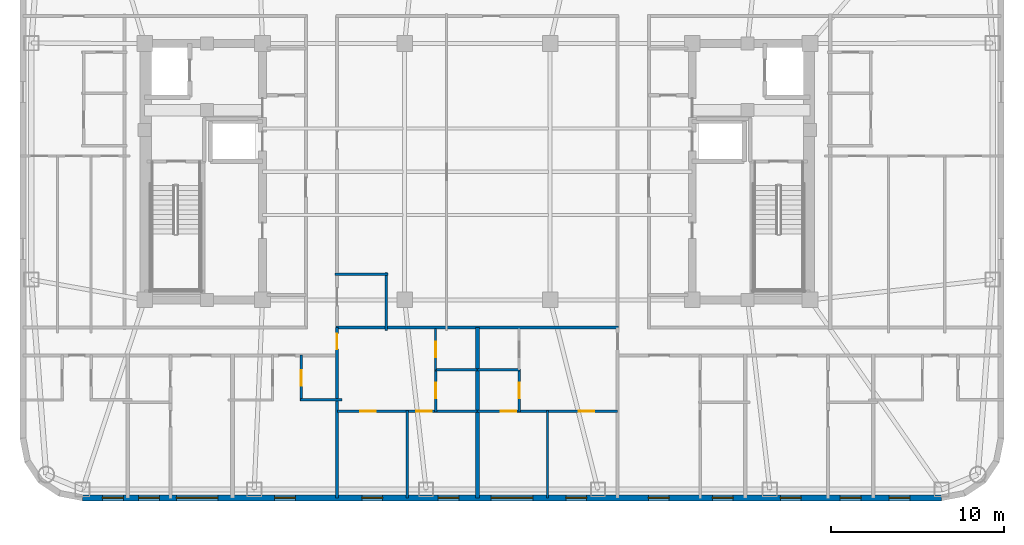
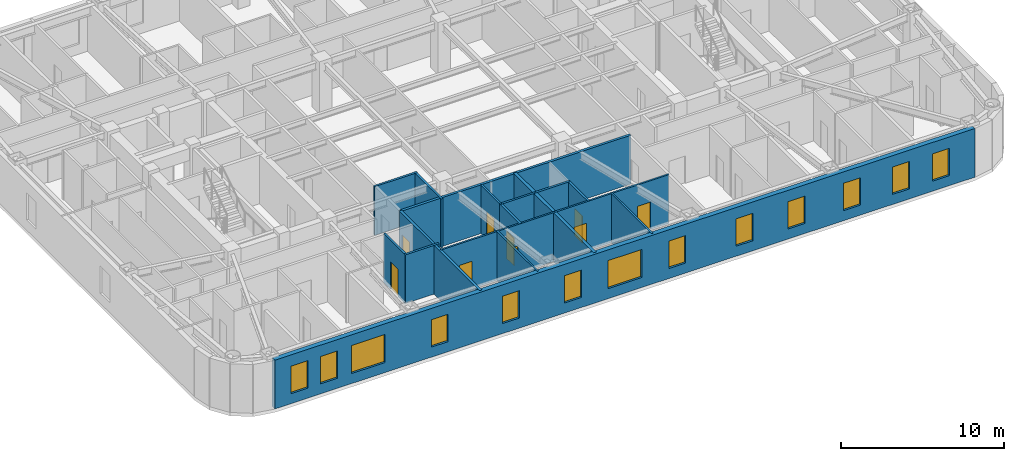
# One storey, part 3 of 11: 17 walls, 13 windows, 9 doors, 22 openings.
"""IFC4 building model written with IfcOpenShell, lengths in metres."""

from ifc_helpers import new_model, si_unit, direction, frame, frame_2d, origin, place, context, subcontext, project, spatial, rectangle, extrude, material, layer, layer_set, type_object, element, fill, save


model = new_model("IFC4")

# Units and contexts
model_context = context("Model", 3, precision=1e-05, world=origin(), true_north=direction((0.0, 1.0)))
body_context = subcontext(model_context, "Body", "Model", "MODEL_VIEW")
ifc_project = project(units=[si_unit("LENGTHUNIT", "METRE"), si_unit("AREAUNIT", "SQUARE_METRE"), si_unit("VOLUMEUNIT", "CUBIC_METRE"), si_unit("PLANEANGLEUNIT", "RADIAN"), si_unit("MASSUNIT", "GRAM", prefix="KILO")], contexts=[model_context])

# Site, building, storey
site_placement = place(None, origin())
site = spatial("IfcSite", under=ifc_project, at=site_placement, CompositionType="ELEMENT")
building_placement = place(site_placement, origin())
building = spatial("IfcBuilding", under=site, at=building_placement, Name="Voryun Gate Residences", CompositionType="ELEMENT")
storey_placement = place(building_placement, frame((0.0, 0.0, 247.0)))
storey = spatial("IfcBuildingStorey", under=building, at=storey_placement, Name="L61", CompositionType="ELEMENT", Elevation=247.0)

# Wall
ifc_material_1 = material(Name="Gypsum acoustic fireboard")
ifc_layer_1 = layer(ifc_material_1, 0.179931640625, Name="W_CORR_RATED_180")
ifc_layer_set_1 = layer_set([ifc_layer_1], Name="Gypsum acoustic fireboard")
wall_type_1 = type_object("IfcWallType", Name="W_CORR_RATED_180", PredefinedType="PARTITIONING", material=ifc_layer_set_1)
wall_1_placement = place(storey_placement, frame((-8.14990234375, -8.989990234375, 0.0), z_axis=(0.0, 0.0, 1.0), x_axis=(1.0, 0.0, 0.0)))
element("IfcWall", 1, at=wall_1_placement, inside=storey, type_object=wall_type_1, Name="Partition wall WP-L61-Z3S", PredefinedType="PARTITIONING", context=body_context, shape_type="SweptSolid", body=[
    extrude(rectangle(XDim=16.2998046875, YDim=0.179931640625, at=frame_2d((8.14990234375, 0.0))), origin(), (0.0, 0.0, 1.0), 3.64990234375),
])

# Wall, opening, door
wall_2_placement = place(storey_placement, frame((-8.10009765625, -18.830078125, 0.0), z_axis=(0.0, 0.0, 1.0), x_axis=(0.0, 1.0, 0.0)))
wall_2 = element("IfcWall", 2, at=wall_2_placement, inside=storey, type_object=wall_type_1, Name="Partition wall WP-L61-SZV-1", PredefinedType="PARTITIONING", context=body_context, shape_type="SweptSolid", body=[
    extrude(rectangle(XDim=9.840087890625, YDim=0.179931640625, at=frame_2d((4.919921875, 0.0))), origin(), (0.0, 0.0, 1.0), 3.64990234375),
])
opening_1_placement = place(wall_2_placement, frame((8.590087890625, 0.0, 0.0)))
opening_1 = element("IfcOpeningElement", 3, at=opening_1_placement, cuts=wall_2, Name="Opening D-INT-2", PredefinedType="OPENING", context=body_context, shape_type="SweptSolid", body=[
    extrude(rectangle(XDim=0.89990234375, YDim=2.050048828125, at=frame_2d((0.449951171875, 1.02490234375))), frame((0.0, 0.099853515625, 0.0), z_axis=(0.0, -1.0, 0.0), x_axis=(1.0, 0.0, 0.0)), (0.0, 0.0, 1.0), 0.199951171875),
])
ifc_material_2 = material(Name="Architectural oak veneer")
door_type = type_object("IfcDoorType", Name="DR_INT_BATH_900", OperationType="NOTDEFINED", PredefinedType="DOOR", material=ifc_material_2)
door_1_placement = place(opening_1_placement, origin())
door_1 = element("IfcDoor", 4, at=door_1_placement, inside=storey, type_object=door_type, Name="Door DR-L61-SZENT-1", OperationType="SINGLE_SWING_LEFT", OverallHeight=2.050048828125, OverallWidth=0.89990234375, PredefinedType="DOOR", context=body_context, shape_type="SweptSolid", body=[
    extrude(rectangle(XDim=0.89990234375, YDim=2.050048828125, at=frame_2d((0.449951171875, 1.02490234375))), frame((0.0, 0.02490234375, 0.0), z_axis=(0.0, -1.0, 0.0), x_axis=(1.0, 0.0, 0.0)), (0.0, 0.0, 1.0), 0.050048828125),
])
fill(opening_1, door_1)

# Wall, openings, windows
ifc_material_3 = material(Name="Charcoal terracotta masonry", Category="masonry")
ifc_layer_2 = layer(ifc_material_3, 0.340087890625, Name="W_EXT_TERRACOTTA_340")
ifc_layer_set_2 = layer_set([ifc_layer_2], Name="Charcoal terracotta masonry")
wall_type_2 = type_object("IfcWallType", Name="W_EXT_TERRACOTTA_340", PredefinedType="ELEMENTEDWALL", material=ifc_layer_set_2)
wall_3_placement = place(storey_placement, frame((26.783203125, -18.830078125, 0.0), z_axis=(0.0, 0.0, 1.0), x_axis=(-1.0, 0.0, 0.0)))
wall_3 = element("IfcWall", 5, at=wall_3_placement, inside=storey, type_object=wall_type_2, Name="Exterior wall WEXT-L61-01", PredefinedType="ELEMENTEDWALL", context=body_context, shape_type="SweptSolid", body=[
    extrude(rectangle(XDim=49.56640625, YDim=0.340087890625, at=frame_2d((24.783203125, 0.0))), origin(), (0.0, 0.0, 1.0), 3.64990234375),
])
opening_2_placement = place(wall_3_placement, frame((23.583251953125, 0.0, 0.75)))
opening_2 = element("IfcOpeningElement", 6, at=opening_2_placement, cuts=wall_3, Name="Opening WN2", PredefinedType="OPENING", context=body_context, shape_type="SweptSolid", body=[
    extrude(rectangle(XDim=2.39990234375, YDim=2.10009765625, at=frame_2d((1.199951171875, 1.050048828125))), frame((0.0, 0.179931640625, 0.0), z_axis=(0.0, -1.0, 0.0), x_axis=(1.0, 0.0, 0.0)), (0.0, 0.0, 1.0), 0.360107421875),
])
opening_3_placement = place(wall_3_placement, frame((41.755615234375, 0.0, 0.75)))
opening_3 = element("IfcOpeningElement", 7, at=opening_3_placement, cuts=wall_3, Name="Opening WN2", PredefinedType="OPENING", context=body_context, shape_type="SweptSolid", body=[
    extrude(rectangle(XDim=2.39990234375, YDim=2.10009765625, at=frame_2d((1.199951171875, 1.050048828125))), frame((0.0, 0.179931640625, 0.0), z_axis=(0.0, -1.0, 0.0), x_axis=(1.0, 0.0, 0.0)), (0.0, 0.0, 1.0), 0.360107421875),
])
opening_4_placement = place(wall_3_placement, frame((47.222412109375, 0.0, 0.75)))
opening_4 = element("IfcOpeningElement", 8, at=opening_4_placement, cuts=wall_3, Name="Opening WN6", PredefinedType="OPENING", context=body_context, shape_type="SweptSolid", body=[
    extrude(rectangle(XDim=1.199951171875, YDim=2.050048828125, at=frame_2d((0.60009765625, 1.02490234375))), frame((0.0, 0.179931640625, 0.0), z_axis=(0.0, -1.0, 0.0), x_axis=(1.0, 0.0, 0.0)), (0.0, 0.0, 1.0), 0.360107421875),
])
opening_5_placement = place(wall_3_placement, frame((45.130859375, 0.0, 0.75)))
opening_5 = element("IfcOpeningElement", 9, at=opening_5_placement, cuts=wall_3, Name="Opening WN6", PredefinedType="OPENING", context=body_context, shape_type="SweptSolid", body=[
    extrude(rectangle(XDim=1.199951171875, YDim=2.050048828125, at=frame_2d((0.60009765625, 1.02490234375))), frame((0.0, 0.179931640625, 0.0), z_axis=(0.0, -1.0, 0.0), x_axis=(1.0, 0.0, 0.0)), (0.0, 0.0, 1.0), 0.360107421875),
])
opening_6_placement = place(wall_3_placement, frame((37.289306640625, 0.0, 0.75)))
opening_6 = element("IfcOpeningElement", 10, at=opening_6_placement, cuts=wall_3, Name="Opening WN6", PredefinedType="OPENING", context=body_context, shape_type="SweptSolid", body=[
    extrude(rectangle(XDim=1.199951171875, YDim=2.050048828125, at=frame_2d((0.60009765625, 1.02490234375))), frame((0.0, 0.179931640625, 0.0), z_axis=(0.0, -1.0, 0.0), x_axis=(1.0, 0.0, 0.0)), (0.0, 0.0, 1.0), 0.360107421875),
])
opening_7_placement = place(wall_3_placement, frame((15.71533203125, 0.0, 0.75)))
opening_7 = element("IfcOpeningElement", 11, at=opening_7_placement, cuts=wall_3, Name="Opening WN6", PredefinedType="OPENING", context=body_context, shape_type="SweptSolid", body=[
    extrude(rectangle(XDim=1.199951171875, YDim=2.050048828125, at=frame_2d((0.60009765625, 1.02490234375))), frame((0.0, 0.179931640625, 0.0), z_axis=(0.0, -1.0, 0.0), x_axis=(1.0, 0.0, 0.0)), (0.0, 0.0, 1.0), 0.360107421875),
])
opening_8_placement = place(wall_3_placement, frame((12.022216796875, 0.0, 0.75)))
opening_8 = element("IfcOpeningElement", 12, at=opening_8_placement, cuts=wall_3, Name="Opening WN6", PredefinedType="OPENING", context=body_context, shape_type="SweptSolid", body=[
    extrude(rectangle(XDim=1.199951171875, YDim=2.050048828125, at=frame_2d((0.60009765625, 1.02490234375))), frame((0.0, 0.179931640625, 0.0), z_axis=(0.0, -1.0, 0.0), x_axis=(1.0, 0.0, 0.0)), (0.0, 0.0, 1.0), 0.360107421875),
])
opening_9_placement = place(wall_3_placement, frame((8.08984375, 0.0, 0.75)))
opening_9 = element("IfcOpeningElement", 13, at=opening_9_placement, cuts=wall_3, Name="Opening WN6", PredefinedType="OPENING", context=body_context, shape_type="SweptSolid", body=[
    extrude(rectangle(XDim=1.199951171875, YDim=2.050048828125, at=frame_2d((0.60009765625, 1.02490234375))), frame((0.0, 0.179931640625, 0.0), z_axis=(0.0, -1.0, 0.0), x_axis=(1.0, 0.0, 0.0)), (0.0, 0.0, 1.0), 0.360107421875),
])
opening_10_placement = place(wall_3_placement, frame((4.63720703125, 0.0, 0.75)))
opening_10 = element("IfcOpeningElement", 14, at=opening_10_placement, cuts=wall_3, Name="Opening WN6", PredefinedType="OPENING", context=body_context, shape_type="SweptSolid", body=[
    extrude(rectangle(XDim=1.199951171875, YDim=2.050048828125, at=frame_2d((0.60009765625, 1.02490234375))), frame((0.0, 0.179931640625, 0.0), z_axis=(0.0, -1.0, 0.0), x_axis=(1.0, 0.0, 0.0)), (0.0, 0.0, 1.0), 0.360107421875),
])
opening_11_placement = place(wall_3_placement, frame((1.81103515625, 0.0, 0.75)))
opening_11 = element("IfcOpeningElement", 15, at=opening_11_placement, cuts=wall_3, Name="Opening WN6", PredefinedType="OPENING", context=body_context, shape_type="SweptSolid", body=[
    extrude(rectangle(XDim=1.199951171875, YDim=2.050048828125, at=frame_2d((0.60009765625, 1.02490234375))), frame((0.0, 0.179931640625, 0.0), z_axis=(0.0, -1.0, 0.0), x_axis=(1.0, 0.0, 0.0)), (0.0, 0.0, 1.0), 0.360107421875),
])
opening_12_placement = place(wall_3_placement, frame((32.25341796875, 0.0, 0.75)))
opening_12 = element("IfcOpeningElement", 16, at=opening_12_placement, cuts=wall_3, Name="Opening WN6", PredefinedType="OPENING", context=body_context, shape_type="SweptSolid", body=[
    extrude(rectangle(XDim=1.199951171875, YDim=2.050048828125, at=frame_2d((0.60009765625, 1.02490234375))), frame((0.0, 0.179931640625, 0.0), z_axis=(0.0, -1.0, 0.0), x_axis=(1.0, 0.0, 0.0)), (0.0, 0.0, 1.0), 0.360107421875),
])
opening_13_placement = place(wall_3_placement, frame((27.853271484375, 0.0, 0.75)))
opening_13 = element("IfcOpeningElement", 17, at=opening_13_placement, cuts=wall_3, Name="Opening WN6", PredefinedType="OPENING", context=body_context, shape_type="SweptSolid", body=[
    extrude(rectangle(XDim=1.199951171875, YDim=2.050048828125, at=frame_2d((0.60009765625, 1.02490234375))), frame((0.0, 0.179931640625, 0.0), z_axis=(0.0, -1.0, 0.0), x_axis=(1.0, 0.0, 0.0)), (0.0, 0.0, 1.0), 0.360107421875),
])
opening_14_placement = place(wall_3_placement, frame((20.473388671875, 0.0, 0.75)))
opening_14 = element("IfcOpeningElement", 18, at=opening_14_placement, cuts=wall_3, Name="Opening WN6", PredefinedType="OPENING", context=body_context, shape_type="SweptSolid", body=[
    extrude(rectangle(XDim=1.199951171875, YDim=2.050048828125, at=frame_2d((0.60009765625, 1.02490234375))), frame((0.0, 0.179931640625, 0.0), z_axis=(0.0, -1.0, 0.0), x_axis=(1.0, 0.0, 0.0)), (0.0, 0.0, 1.0), 0.360107421875),
])
ifc_material_4 = material(Name="Laminated low-E glass", Category="glass")
window_type_1 = type_object("IfcWindowType", Name="WN_POD_SLOT_1200", PartitioningType="SINGLE_PANEL", PredefinedType="WINDOW", material=ifc_material_4)
window_1_placement = place(opening_4_placement, origin())
window_1 = element("IfcWindow", 19, at=window_1_placement, inside=storey, type_object=window_type_1, Name="Window WN-L61-DWFIX-11", OverallHeight=2.050048828125, OverallWidth=1.199951171875, PartitioningType="SINGLE_PANEL", PredefinedType="WINDOW", context=body_context, shape_type="SweptSolid", body=[
    extrude(rectangle(XDim=1.199951171875, YDim=2.050048828125, at=frame_2d((0.60009765625, 1.02490234375))), frame((0.0, 0.030029296875, 0.0), z_axis=(0.0, -1.0, 0.0), x_axis=(1.0, 0.0, 0.0)), (0.0, 0.0, 1.0), 0.06005859375),
])
fill(opening_4, window_1)
window_2_placement = place(opening_5_placement, origin())
window_2 = element("IfcWindow", 20, at=window_2_placement, inside=storey, type_object=window_type_1, Name="Window WN-L61-DWFIX-12", OverallHeight=2.050048828125, OverallWidth=1.199951171875, PartitioningType="SINGLE_PANEL", PredefinedType="WINDOW", context=body_context, shape_type="SweptSolid", body=[
    extrude(rectangle(XDim=1.199951171875, YDim=2.050048828125, at=frame_2d((0.60009765625, 1.02490234375))), frame((0.0, 0.030029296875, 0.0), z_axis=(0.0, -1.0, 0.0), x_axis=(1.0, 0.0, 0.0)), (0.0, 0.0, 1.0), 0.06005859375),
])
fill(opening_5, window_2)
window_3_placement = place(opening_6_placement, origin())
window_3 = element("IfcWindow", 21, at=window_3_placement, inside=storey, type_object=window_type_1, Name="Window WN-L61-DWFIX-13", OverallHeight=2.050048828125, OverallWidth=1.199951171875, PartitioningType="SINGLE_PANEL", PredefinedType="WINDOW", context=body_context, shape_type="SweptSolid", body=[
    extrude(rectangle(XDim=1.199951171875, YDim=2.050048828125, at=frame_2d((0.60009765625, 1.02490234375))), frame((0.0, 0.030029296875, 0.0), z_axis=(0.0, -1.0, 0.0), x_axis=(1.0, 0.0, 0.0)), (0.0, 0.0, 1.0), 0.06005859375),
])
fill(opening_6, window_3)
window_4_placement = place(opening_7_placement, origin())
window_4 = element("IfcWindow", 22, at=window_4_placement, inside=storey, type_object=window_type_1, Name="Window WN-L61-DWFIX-14", OverallHeight=2.050048828125, OverallWidth=1.199951171875, PartitioningType="SINGLE_PANEL", PredefinedType="WINDOW", context=body_context, shape_type="SweptSolid", body=[
    extrude(rectangle(XDim=1.199951171875, YDim=2.050048828125, at=frame_2d((0.60009765625, 1.02490234375))), frame((0.0, 0.030029296875, 0.0), z_axis=(0.0, -1.0, 0.0), x_axis=(1.0, 0.0, 0.0)), (0.0, 0.0, 1.0), 0.06005859375),
])
fill(opening_7, window_4)
window_5_placement = place(opening_8_placement, origin())
window_5 = element("IfcWindow", 23, at=window_5_placement, inside=storey, type_object=window_type_1, Name="Window WN-L61-DWFIX-15", OverallHeight=2.050048828125, OverallWidth=1.199951171875, PartitioningType="SINGLE_PANEL", PredefinedType="WINDOW", context=body_context, shape_type="SweptSolid", body=[
    extrude(rectangle(XDim=1.199951171875, YDim=2.050048828125, at=frame_2d((0.60009765625, 1.02490234375))), frame((0.0, 0.030029296875, 0.0), z_axis=(0.0, -1.0, 0.0), x_axis=(1.0, 0.0, 0.0)), (0.0, 0.0, 1.0), 0.06005859375),
])
fill(opening_8, window_5)
window_6_placement = place(opening_9_placement, origin())
window_6 = element("IfcWindow", 24, at=window_6_placement, inside=storey, type_object=window_type_1, Name="Window WN-L61-DWFIX-16", OverallHeight=2.050048828125, OverallWidth=1.199951171875, PartitioningType="SINGLE_PANEL", PredefinedType="WINDOW", context=body_context, shape_type="SweptSolid", body=[
    extrude(rectangle(XDim=1.199951171875, YDim=2.050048828125, at=frame_2d((0.60009765625, 1.02490234375))), frame((0.0, 0.030029296875, 0.0), z_axis=(0.0, -1.0, 0.0), x_axis=(1.0, 0.0, 0.0)), (0.0, 0.0, 1.0), 0.06005859375),
])
fill(opening_9, window_6)
window_7_placement = place(opening_10_placement, origin())
window_7 = element("IfcWindow", 25, at=window_7_placement, inside=storey, type_object=window_type_1, Name="Window WN-L61-DWFIX-17", OverallHeight=2.050048828125, OverallWidth=1.199951171875, PartitioningType="SINGLE_PANEL", PredefinedType="WINDOW", context=body_context, shape_type="SweptSolid", body=[
    extrude(rectangle(XDim=1.199951171875, YDim=2.050048828125, at=frame_2d((0.60009765625, 1.02490234375))), frame((0.0, 0.030029296875, 0.0), z_axis=(0.0, -1.0, 0.0), x_axis=(1.0, 0.0, 0.0)), (0.0, 0.0, 1.0), 0.06005859375),
])
fill(opening_10, window_7)
window_8_placement = place(opening_11_placement, origin())
window_8 = element("IfcWindow", 26, at=window_8_placement, inside=storey, type_object=window_type_1, Name="Window WN-L61-DWFIX-18", OverallHeight=2.050048828125, OverallWidth=1.199951171875, PartitioningType="SINGLE_PANEL", PredefinedType="WINDOW", context=body_context, shape_type="SweptSolid", body=[
    extrude(rectangle(XDim=1.199951171875, YDim=2.050048828125, at=frame_2d((0.60009765625, 1.02490234375))), frame((0.0, 0.030029296875, 0.0), z_axis=(0.0, -1.0, 0.0), x_axis=(1.0, 0.0, 0.0)), (0.0, 0.0, 1.0), 0.06005859375),
])
fill(opening_11, window_8)
window_9_placement = place(opening_12_placement, origin())
window_9 = element("IfcWindow", 27, at=window_9_placement, inside=storey, type_object=window_type_1, Name="Window WN-L61-DWFIX-19", OverallHeight=2.050048828125, OverallWidth=1.199951171875, PartitioningType="SINGLE_PANEL", PredefinedType="WINDOW", context=body_context, shape_type="SweptSolid", body=[
    extrude(rectangle(XDim=1.199951171875, YDim=2.050048828125, at=frame_2d((0.60009765625, 1.02490234375))), frame((0.0, 0.030029296875, 0.0), z_axis=(0.0, -1.0, 0.0), x_axis=(1.0, 0.0, 0.0)), (0.0, 0.0, 1.0), 0.06005859375),
])
fill(opening_12, window_9)
window_10_placement = place(opening_13_placement, origin())
window_10 = element("IfcWindow", 28, at=window_10_placement, inside=storey, type_object=window_type_1, Name="Window WN-L61-DWFIX-20", OverallHeight=2.050048828125, OverallWidth=1.199951171875, PartitioningType="SINGLE_PANEL", PredefinedType="WINDOW", context=body_context, shape_type="SweptSolid", body=[
    extrude(rectangle(XDim=1.199951171875, YDim=2.050048828125, at=frame_2d((0.60009765625, 1.02490234375))), frame((0.0, 0.030029296875, 0.0), z_axis=(0.0, -1.0, 0.0), x_axis=(1.0, 0.0, 0.0)), (0.0, 0.0, 1.0), 0.06005859375),
])
fill(opening_13, window_10)
window_11_placement = place(opening_14_placement, origin())
window_11 = element("IfcWindow", 29, at=window_11_placement, inside=storey, type_object=window_type_1, Name="Window WN-L61-DWFIX-21", OverallHeight=2.050048828125, OverallWidth=1.199951171875, PartitioningType="SINGLE_PANEL", PredefinedType="WINDOW", context=body_context, shape_type="SweptSolid", body=[
    extrude(rectangle(XDim=1.199951171875, YDim=2.050048828125, at=frame_2d((0.60009765625, 1.02490234375))), frame((0.0, 0.030029296875, 0.0), z_axis=(0.0, -1.0, 0.0), x_axis=(1.0, 0.0, 0.0)), (0.0, 0.0, 1.0), 0.06005859375),
])
fill(opening_14, window_11)
ifc_material_5 = material(Name="Laminated low-E glass", Category="glass")
window_type_2 = type_object("IfcWindowType", Name="WN_RES_WIDE_2400", PartitioningType="SINGLE_PANEL", PredefinedType="WINDOW", material=ifc_material_5)
window_12_placement = place(opening_2_placement, origin())
window_12 = element("IfcWindow", 30, at=window_12_placement, inside=storey, type_object=window_type_2, Name="Window WN-WEXT-L61-01-02", OverallHeight=2.10009765625, OverallWidth=2.39990234375, PartitioningType="SINGLE_PANEL", PredefinedType="WINDOW", context=body_context, shape_type="SweptSolid", body=[
    extrude(rectangle(XDim=2.39990234375, YDim=2.10009765625, at=frame_2d((1.199951171875, 1.050048828125))), frame((0.0, 0.030029296875, 0.0), z_axis=(0.0, -1.0, 0.0), x_axis=(1.0, 0.0, 0.0)), (0.0, 0.0, 1.0), 0.06005859375),
])
fill(opening_2, window_12)
window_13_placement = place(opening_3_placement, origin())
window_13 = element("IfcWindow", 31, at=window_13_placement, inside=storey, type_object=window_type_2, Name="Window WN-WEXT-L61-01-03", OverallHeight=2.10009765625, OverallWidth=2.39990234375, PartitioningType="SINGLE_PANEL", PredefinedType="WINDOW", context=body_context, shape_type="SweptSolid", body=[
    extrude(rectangle(XDim=2.39990234375, YDim=2.10009765625, at=frame_2d((1.199951171875, 1.050048828125))), frame((0.0, 0.030029296875, 0.0), z_axis=(0.0, -1.0, 0.0), x_axis=(1.0, 0.0, 0.0)), (0.0, 0.0, 1.0), 0.06005859375),
])
fill(opening_3, window_13)

# Wall
ifc_material_6 = material(Name="Concrete C40/50", Category="concrete")
ifc_layer_3 = layer(ifc_material_6, 0.219970703125, Name="W_PARTY_ACOUSTIC_220")
ifc_layer_set_3 = layer_set([ifc_layer_3], Name="Concrete C40/50")
wall_type_3 = type_object("IfcWallType", Name="W_PARTY_ACOUSTIC_220", PredefinedType="PARTITIONING", material=ifc_layer_set_3)
wall_4_placement = place(storey_placement, frame((0.0, -18.830078125, 0.0), z_axis=(0.0, 0.0, 1.0), x_axis=(0.0, 1.0, 0.0)))
element("IfcWall", 32, at=wall_4_placement, inside=storey, type_object=wall_type_3, Name="Partition wall WP-L61-SZMID", PredefinedType="PARTITIONING", context=body_context, shape_type="SweptSolid", body=[
    extrude(rectangle(XDim=9.840087890625, YDim=0.219970703125, at=frame_2d((4.919921875, 0.0))), origin(), (0.0, 0.0, 1.0), 3.64990234375),
])

# Wall, openings, doors
ifc_material_7 = material(Name="Gypsum acoustic partition")
ifc_layer_4 = layer(ifc_material_7, 0.125, Name="W_UNIT_PART_125")
ifc_layer_set_4 = layer_set([ifc_layer_4], Name="Gypsum acoustic partition")
wall_type_4 = type_object("IfcWallType", Name="W_UNIT_PART_125", PredefinedType="PARTITIONING", material=ifc_layer_set_4)
wall_5_placement = place(storey_placement, frame((-8.080078125, -13.830078125, 0.0), z_axis=(0.0, 0.0, 1.0), x_axis=(1.0, 0.0, 0.0)))
wall_5 = element("IfcWall", 33, at=wall_5_placement, inside=storey, type_object=wall_type_4, Name="Partition wall WP-L61-SC1-HZ", PredefinedType="PARTITIONING", context=body_context, shape_type="SweptSolid", body=[
    extrude(rectangle(XDim=8.06005859375, YDim=0.125, at=frame_2d((4.030029296875, 0.0))), origin(), (0.0, 0.0, 1.0), 3.64990234375),
])
opening_15_placement = place(wall_5_placement, frame((1.3232421875, 0.0, 0.0)))
opening_15 = element("IfcOpeningElement", 34, at=opening_15_placement, cuts=wall_5, Name="Opening D-INT-2", PredefinedType="OPENING", context=body_context, shape_type="SweptSolid", body=[
    extrude(rectangle(XDim=0.89990234375, YDim=2.050048828125, at=frame_2d((0.449951171875, 1.02490234375))), frame((0.0, 0.072509765625, 0.0), z_axis=(0.0, -1.0, 0.0), x_axis=(1.0, 0.0, 0.0)), (0.0, 0.0, 1.0), 0.14501953125),
])
opening_16_placement = place(wall_5_placement, frame((4.547119140625, 0.0, 0.0)))
opening_16 = element("IfcOpeningElement", 35, at=opening_16_placement, cuts=wall_5, Name="Opening D-INT-2", PredefinedType="OPENING", context=body_context, shape_type="SweptSolid", body=[
    extrude(rectangle(XDim=0.89990234375, YDim=2.050048828125, at=frame_2d((0.449951171875, 1.02490234375))), frame((0.0, 0.072509765625, 0.0), z_axis=(0.0, -1.0, 0.0), x_axis=(1.0, 0.0, 0.0)), (0.0, 0.0, 1.0), 0.14501953125),
])
door_2_placement = place(opening_15_placement, origin())
door_2 = element("IfcDoor", 36, at=door_2_placement, inside=storey, type_object=door_type, Name="Door DR-L61-SC1-DMB", OperationType="SINGLE_SWING_LEFT", OverallHeight=2.050048828125, OverallWidth=0.89990234375, PredefinedType="DOOR", context=body_context, shape_type="SweptSolid", body=[
    extrude(rectangle(XDim=0.89990234375, YDim=2.050048828125, at=frame_2d((0.449951171875, 1.02490234375))), frame((0.0, 0.02490234375, 0.0), z_axis=(0.0, -1.0, 0.0), x_axis=(1.0, 0.0, 0.0)), (0.0, 0.0, 1.0), 0.050048828125),
])
fill(opening_15, door_2)
door_3_placement = place(opening_16_placement, origin())
door_3 = element("IfcDoor", 37, at=door_3_placement, inside=storey, type_object=door_type, Name="Door DR-L61-SC1-DBD2", OperationType="SINGLE_SWING_RIGHT", OverallHeight=2.050048828125, OverallWidth=0.89990234375, PredefinedType="DOOR", context=body_context, shape_type="SweptSolid", body=[
    extrude(rectangle(XDim=0.89990234375, YDim=2.050048828125, at=frame_2d((0.449951171875, 1.02490234375))), frame((0.0, 0.02490234375, 0.0), z_axis=(0.0, -1.0, 0.0), x_axis=(1.0, 0.0, 0.0)), (0.0, 0.0, 1.0), 0.050048828125),
])
fill(opening_16, door_3)

# Wall, opening, door
wall_6_placement = place(storey_placement, frame((-2.409912109375, -11.4599609375, 0.0), z_axis=(0.0, 0.0, 1.0), x_axis=(0.0, 1.0, 0.0)))
wall_6 = element("IfcWall", 38, at=wall_6_placement, inside=storey, type_object=wall_type_4, Name="Partition wall WP-L61-SC1-VK1", PredefinedType="PARTITIONING", context=body_context, shape_type="SweptSolid", body=[
    extrude(rectangle(XDim=2.409912109375, YDim=0.125, at=frame_2d((1.205078125, 0.0))), origin(), (0.0, 0.0, 1.0), 3.64990234375),
])
opening_17_placement = place(wall_6_placement, frame((0.7548828125, 0.0, 0.0)))
opening_17 = element("IfcOpeningElement", 39, at=opening_17_placement, cuts=wall_6, Name="Opening D-INT-2", PredefinedType="OPENING", context=body_context, shape_type="SweptSolid", body=[
    extrude(rectangle(XDim=0.89990234375, YDim=2.050048828125, at=frame_2d((0.449951171875, 1.02490234375))), frame((0.0, 0.072509765625, 0.0), z_axis=(0.0, -1.0, 0.0), x_axis=(1.0, 0.0, 0.0)), (0.0, 0.0, 1.0), 0.14501953125),
])
door_4_placement = place(opening_17_placement, origin())
door_4 = element("IfcDoor", 40, at=door_4_placement, inside=storey, type_object=door_type, Name="Door DR-L61-SC1-DK", OperationType="SINGLE_SWING_LEFT", OverallHeight=2.050048828125, OverallWidth=0.89990234375, PredefinedType="DOOR", context=body_context, shape_type="SweptSolid", body=[
    extrude(rectangle(XDim=0.89990234375, YDim=2.050048828125, at=frame_2d((0.449951171875, 1.02490234375))), frame((0.0, 0.02490234375, 0.0), z_axis=(0.0, -1.0, 0.0), x_axis=(1.0, 0.0, 0.0)), (0.0, 0.0, 1.0), 0.050048828125),
])
fill(opening_17, door_4)

# Wall
wall_7_placement = place(storey_placement, frame((-4.050048828125, -18.830078125, 0.0), z_axis=(0.0, 0.0, 1.0), x_axis=(0.0, 1.0, 0.0)))
element("IfcWall", 41, at=wall_7_placement, inside=storey, type_object=wall_type_4, Name="Partition wall WP-L61-SC1-VBD", PredefinedType="PARTITIONING", context=body_context, shape_type="SweptSolid", body=[
    extrude(rectangle(XDim=5.0400390625, YDim=0.125, at=frame_2d((2.52001953125, 0.0))), origin(), (0.0, 0.0, 1.0), 3.64990234375),
])

# Wall, openings, doors
wall_8_placement = place(storey_placement, frame((0.02001953125, -13.830078125, 0.0), z_axis=(0.0, 0.0, 1.0), x_axis=(1.0, 0.0, 0.0)))
wall_8 = element("IfcWall", 42, at=wall_8_placement, inside=storey, type_object=wall_type_4, Name="Partition wall WP-L61-SC2-HZ", PredefinedType="PARTITIONING", context=body_context, shape_type="SweptSolid", body=[
    extrude(rectangle(XDim=8.06005859375, YDim=0.125, at=frame_2d((4.030029296875, 0.0))), origin(), (0.0, 0.0, 1.0), 3.64990234375),
])
opening_18_placement = place(wall_8_placement, frame((1.3232421875, 0.0, 0.0)))
opening_18 = element("IfcOpeningElement", 43, at=opening_18_placement, cuts=wall_8, Name="Opening D-INT-2", PredefinedType="OPENING", context=body_context, shape_type="SweptSolid", body=[
    extrude(rectangle(XDim=0.89990234375, YDim=2.050048828125, at=frame_2d((0.449951171875, 1.02490234375))), frame((0.0, 0.072509765625, 0.0), z_axis=(0.0, -1.0, 0.0), x_axis=(1.0, 0.0, 0.0)), (0.0, 0.0, 1.0), 0.14501953125),
])
opening_19_placement = place(wall_8_placement, frame((5.8369140625, 0.0, 0.0)))
opening_19 = element("IfcOpeningElement", 44, at=opening_19_placement, cuts=wall_8, Name="Opening D-INT-2", PredefinedType="OPENING", context=body_context, shape_type="SweptSolid", body=[
    extrude(rectangle(XDim=0.89990234375, YDim=2.050048828125, at=frame_2d((0.449951171875, 1.02490234375))), frame((0.0, 0.072509765625, 0.0), z_axis=(0.0, -1.0, 0.0), x_axis=(1.0, 0.0, 0.0)), (0.0, 0.0, 1.0), 0.14501953125),
])
door_5_placement = place(opening_18_placement, origin())
door_5 = element("IfcDoor", 45, at=door_5_placement, inside=storey, type_object=door_type, Name="Door DR-L61-SC2-DMB", OperationType="SINGLE_SWING_LEFT", OverallHeight=2.050048828125, OverallWidth=0.89990234375, PredefinedType="DOOR", context=body_context, shape_type="SweptSolid", body=[
    extrude(rectangle(XDim=0.89990234375, YDim=2.050048828125, at=frame_2d((0.449951171875, 1.02490234375))), frame((0.0, 0.02490234375, 0.0), z_axis=(0.0, -1.0, 0.0), x_axis=(1.0, 0.0, 0.0)), (0.0, 0.0, 1.0), 0.050048828125),
])
fill(opening_18, door_5)
door_6_placement = place(opening_19_placement, origin())
door_6 = element("IfcDoor", 46, at=door_6_placement, inside=storey, type_object=door_type, Name="Door DR-L61-SC2-DBD2", OperationType="SINGLE_SWING_RIGHT", OverallHeight=2.050048828125, OverallWidth=0.89990234375, PredefinedType="DOOR", context=body_context, shape_type="SweptSolid", body=[
    extrude(rectangle(XDim=0.89990234375, YDim=2.050048828125, at=frame_2d((0.449951171875, 1.02490234375))), frame((0.0, 0.02490234375, 0.0), z_axis=(0.0, -1.0, 0.0), x_axis=(1.0, 0.0, 0.0)), (0.0, 0.0, 1.0), 0.050048828125),
])
fill(opening_19, door_6)

# Walls
wall_9_placement = place(storey_placement, frame((4.050048828125, -18.830078125, 0.0), z_axis=(0.0, 0.0, 1.0), x_axis=(0.0, 1.0, 0.0)))
element("IfcWall", 47, at=wall_9_placement, inside=storey, type_object=wall_type_4, Name="Partition wall WP-L61-SC2-VBD", PredefinedType="PARTITIONING", context=body_context, shape_type="SweptSolid", body=[
    extrude(rectangle(XDim=5.0400390625, YDim=0.125, at=frame_2d((2.52001953125, 0.0))), origin(), (0.0, 0.0, 1.0), 3.64990234375),
])
ifc_material_8 = material(Name="Gypsum moisture-resistant partition")
ifc_layer_5 = layer(ifc_material_8, 0.14990234375, Name="W_WET_PLUMB_150")
ifc_layer_set_5 = layer_set([ifc_layer_5], Name="Gypsum moisture-resistant partition")
wall_type_5 = type_object("IfcWallType", Name="W_WET_PLUMB_150", PredefinedType="PLUMBINGWALL", material=ifc_layer_set_5)
wall_10_placement = place(storey_placement, frame((-5.260009765625, -9.169921875, 0.0), z_axis=(0.0, 0.0, 1.0), x_axis=(0.0, 1.0, 0.0)))
element("IfcWall", 48, at=wall_10_placement, inside=storey, type_object=wall_type_5, Name="Partition wall WP-L61-CMWCX", PredefinedType="PLUMBINGWALL", context=body_context, shape_type="SweptSolid", body=[
    extrude(rectangle(XDim=3.349853515625, YDim=0.14990234375, at=frame_2d((1.6748046875, 0.0))), origin(), (0.0, 0.0, 1.0), 3.64990234375),
])
wall_11_placement = place(storey_placement, frame((-8.2099609375, -5.919921875, 0.0), z_axis=(0.0, 0.0, 1.0), x_axis=(1.0, 0.0, 0.0)))
element("IfcWall", 49, at=wall_11_placement, inside=storey, type_object=wall_type_5, Name="Partition wall WP-L61-CMWCY", PredefinedType="PLUMBINGWALL", context=body_context, shape_type="SweptSolid", body=[
    extrude(rectangle(XDim=3.050048828125, YDim=0.14990234375, at=frame_2d((1.52490234375, 0.0))), origin(), (0.0, 0.0, 1.0), 3.64990234375),
])

# Wall, opening, door
wall_12_placement = place(storey_placement, frame((-10.156982421875, -13.22998046875, 0.0), z_axis=(0.0, 0.0, 1.0), x_axis=(0.0, 1.0, 0.0)))
wall_12 = element("IfcWall", 50, at=wall_12_placement, inside=storey, type_object=wall_type_5, Name="Partition wall WP-L61-S3-CVB", PredefinedType="PLUMBINGWALL", context=body_context, shape_type="SweptSolid", body=[
    extrude(rectangle(XDim=2.64990234375, YDim=0.14990234375, at=frame_2d((1.324951171875, 0.0))), origin(), (0.0, 0.0, 1.0), 3.64990234375),
])
opening_20_placement = place(wall_12_placement, frame((0.875, 0.0, 0.0)))
opening_20 = element("IfcOpeningElement", 51, at=opening_20_placement, cuts=wall_12, Name="Opening D-INT-2", PredefinedType="OPENING", context=body_context, shape_type="SweptSolid", body=[
    extrude(rectangle(XDim=0.89990234375, YDim=2.050048828125, at=frame_2d((0.449951171875, 1.02490234375))), frame((0.0, 0.0849609375, 0.0), z_axis=(0.0, -1.0, 0.0), x_axis=(1.0, 0.0, 0.0)), (0.0, 0.0, 1.0), 0.169921875),
])
door_7_placement = place(opening_20_placement, origin())
door_7 = element("IfcDoor", 52, at=door_7_placement, inside=storey, type_object=door_type, Name="Door DR-L61-S3-DB", OperationType="SINGLE_SWING_RIGHT", OverallHeight=2.050048828125, OverallWidth=0.89990234375, PredefinedType="DOOR", context=body_context, shape_type="SweptSolid", body=[
    extrude(rectangle(XDim=0.89990234375, YDim=2.050048828125, at=frame_2d((0.449951171875, 1.02490234375))), frame((0.0, 0.02490234375, 0.0), z_axis=(0.0, -1.0, 0.0), x_axis=(1.0, 0.0, 0.0)), (0.0, 0.0, 1.0), 0.050048828125),
])
fill(opening_20, door_7)

# Wall
wall_13_placement = place(storey_placement, frame((-10.217041015625, -13.169921875, 0.0), z_axis=(0.0, 0.0, 1.0), x_axis=(1.0, 0.0, 0.0)))
element("IfcWall", 53, at=wall_13_placement, inside=storey, type_object=wall_type_5, Name="Partition wall WP-L61-S3-CHB", PredefinedType="PLUMBINGWALL", context=body_context, shape_type="SweptSolid", body=[
    extrude(rectangle(XDim=2.39697265625, YDim=0.14990234375, at=frame_2d((1.198486328125, 0.0))), origin(), (0.0, 0.0, 1.0), 3.64990234375),
])

# Wall, opening, door
wall_14_placement = place(storey_placement, frame((-2.409912109375, -13.8701171875, 0.0), z_axis=(0.0, 0.0, 1.0), x_axis=(0.0, 1.0, 0.0)))
wall_14 = element("IfcWall", 54, at=wall_14_placement, inside=storey, type_object=wall_type_5, Name="Partition wall WP-L61-SC1-VK2", PredefinedType="PLUMBINGWALL", context=body_context, shape_type="SweptSolid", body=[
    extrude(rectangle(XDim=2.47021484375, YDim=0.14990234375, at=frame_2d((1.235107421875, 0.0))), origin(), (0.0, 0.0, 1.0), 3.64990234375),
])
opening_21_placement = place(wall_14_placement, frame((0.784912109375, 0.0, 0.0)))
opening_21 = element("IfcOpeningElement", 55, at=opening_21_placement, cuts=wall_14, Name="Opening D-INT-2", PredefinedType="OPENING", context=body_context, shape_type="SweptSolid", body=[
    extrude(rectangle(XDim=0.89990234375, YDim=2.050048828125, at=frame_2d((0.449951171875, 1.02490234375))), frame((0.0, 0.0849609375, 0.0), z_axis=(0.0, -1.0, 0.0), x_axis=(1.0, 0.0, 0.0)), (0.0, 0.0, 1.0), 0.169921875),
])
door_8_placement = place(opening_21_placement, origin())
door_8 = element("IfcDoor", 56, at=door_8_placement, inside=storey, type_object=door_type, Name="Door DR-L61-SC1-DB", OperationType="SINGLE_SWING_RIGHT", OverallHeight=2.050048828125, OverallWidth=0.89990234375, PredefinedType="DOOR", context=body_context, shape_type="SweptSolid", body=[
    extrude(rectangle(XDim=0.89990234375, YDim=2.050048828125, at=frame_2d((0.449951171875, 1.02490234375))), frame((0.0, 0.02490234375, 0.0), z_axis=(0.0, -1.0, 0.0), x_axis=(1.0, 0.0, 0.0)), (0.0, 0.0, 1.0), 0.050048828125),
])
fill(opening_21, door_8)

# Wall
wall_15_placement = place(storey_placement, frame((-2.449951171875, -11.429931640625, 0.0), z_axis=(0.0, 0.0, 1.0), x_axis=(1.0, 0.0, 0.0)))
element("IfcWall", 57, at=wall_15_placement, inside=storey, type_object=wall_type_5, Name="Partition wall WP-L61-SC1-HKB", PredefinedType="PLUMBINGWALL", context=body_context, shape_type="SweptSolid", body=[
    extrude(rectangle(XDim=2.429931640625, YDim=0.14990234375, at=frame_2d((1.21484375, 0.0))), origin(), (0.0, 0.0, 1.0), 3.64990234375),
])

# Wall, opening, door
wall_16_placement = place(storey_placement, frame((2.409912109375, -13.8701171875, 0.0), z_axis=(0.0, 0.0, 1.0), x_axis=(0.0, 1.0, 0.0)))
wall_16 = element("IfcWall", 58, at=wall_16_placement, inside=storey, type_object=wall_type_5, Name="Partition wall WP-L61-SC2-VK2", PredefinedType="PLUMBINGWALL", context=body_context, shape_type="SweptSolid", body=[
    extrude(rectangle(XDim=2.47021484375, YDim=0.14990234375, at=frame_2d((1.235107421875, 0.0))), origin(), (0.0, 0.0, 1.0), 3.64990234375),
])
opening_22_placement = place(wall_16_placement, frame((0.784912109375, 0.0, 0.0)))
opening_22 = element("IfcOpeningElement", 59, at=opening_22_placement, cuts=wall_16, Name="Opening D-INT-2", PredefinedType="OPENING", context=body_context, shape_type="SweptSolid", body=[
    extrude(rectangle(XDim=0.89990234375, YDim=2.050048828125, at=frame_2d((0.449951171875, 1.02490234375))), frame((0.0, 0.0849609375, 0.0), z_axis=(0.0, -1.0, 0.0), x_axis=(1.0, 0.0, 0.0)), (0.0, 0.0, 1.0), 0.169921875),
])
door_9_placement = place(opening_22_placement, origin())
door_9 = element("IfcDoor", 60, at=door_9_placement, inside=storey, type_object=door_type, Name="Door DR-L61-SC2-DB", OperationType="SINGLE_SWING_RIGHT", OverallHeight=2.050048828125, OverallWidth=0.89990234375, PredefinedType="DOOR", context=body_context, shape_type="SweptSolid", body=[
    extrude(rectangle(XDim=0.89990234375, YDim=2.050048828125, at=frame_2d((0.449951171875, 1.02490234375))), frame((0.0, 0.02490234375, 0.0), z_axis=(0.0, -1.0, 0.0), x_axis=(1.0, 0.0, 0.0)), (0.0, 0.0, 1.0), 0.050048828125),
])
fill(opening_22, door_9)

# Wall
wall_17_placement = place(storey_placement, frame((0.02001953125, -11.429931640625, 0.0), z_axis=(0.0, 0.0, 1.0), x_axis=(1.0, 0.0, 0.0)))
element("IfcWall", 61, at=wall_17_placement, inside=storey, type_object=wall_type_5, Name="Partition wall WP-L61-SC2-HKB", PredefinedType="PLUMBINGWALL", context=body_context, shape_type="SweptSolid", body=[
    extrude(rectangle(XDim=2.429931640625, YDim=0.14990234375, at=frame_2d((1.21484375, 0.0))), origin(), (0.0, 0.0, 1.0), 3.64990234375),
])

save(model, "model.ifc")
